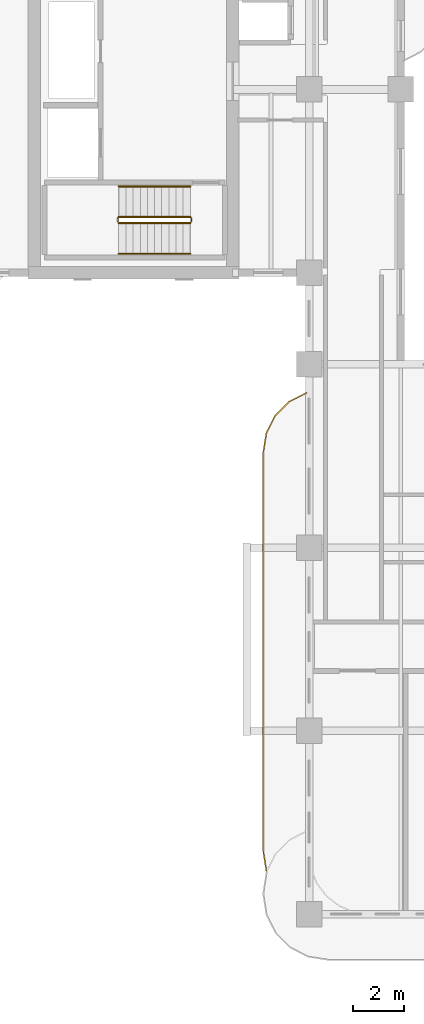
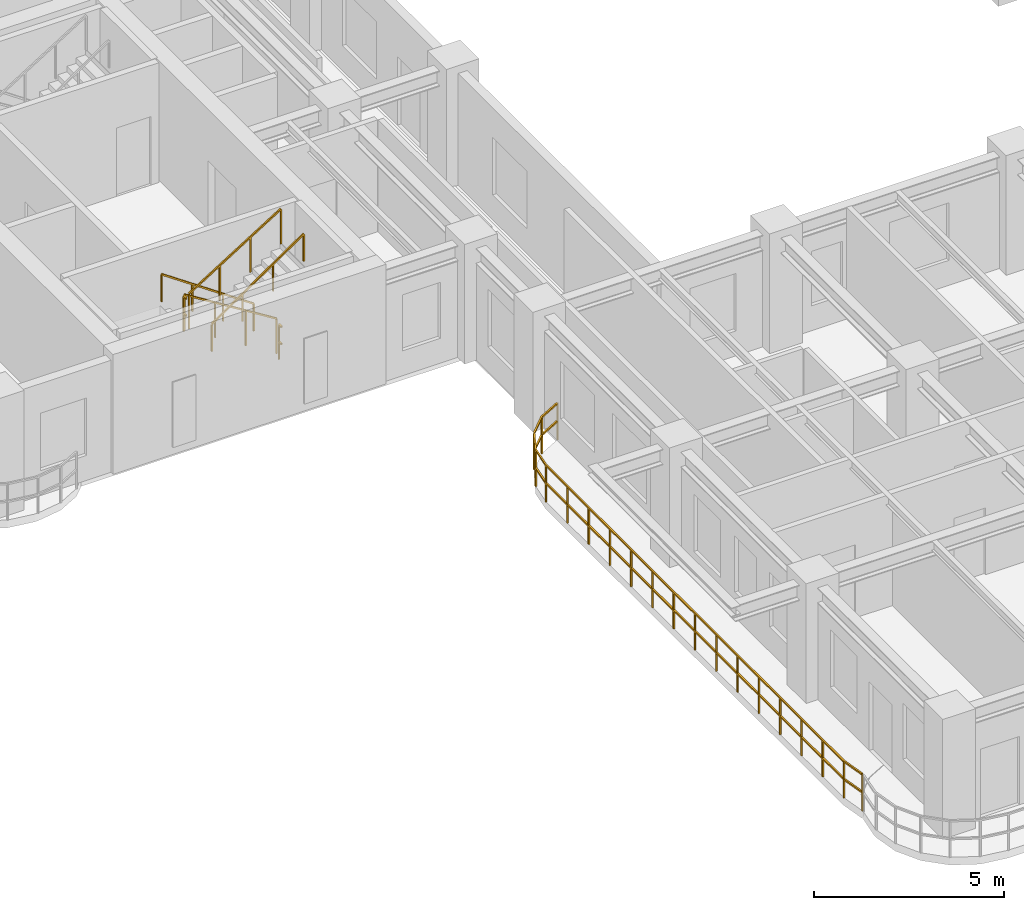
# One storey, part 10 of 14: 7 railings.
"""IFC4 building model written with IfcOpenShell, lengths in metres."""

from ifc_helpers import new_model, si_unit, derived_unit, direction, frame, origin, origin_2d, place, context, subcontext, project, spatial, rectangle, extrude, material, type_object, element, save


model = new_model("IFC4")

# Units and contexts
model_context = context("Model", 3, precision=1e-05, world=origin(), true_north=direction((0.0, 1.0)))
body_context = subcontext(model_context, "Body", "Model", "MODEL_VIEW")
ifc_project = project(units=[si_unit("LENGTHUNIT", "METRE"), si_unit("AREAUNIT", "SQUARE_METRE"), si_unit("VOLUMEUNIT", "CUBIC_METRE"), si_unit("PLANEANGLEUNIT", "RADIAN"), si_unit("MASSUNIT", "GRAM", prefix="KILO"), si_unit("THERMODYNAMICTEMPERATUREUNIT", "KELVIN"), si_unit("POWERUNIT", "WATT"), derived_unit("THERMALTRANSMITTANCEUNIT", [(si_unit("POWERUNIT", "WATT"), 1), (si_unit("AREAUNIT", "SQUARE_METRE"), -1), (si_unit("THERMODYNAMICTEMPERATUREUNIT", "KELVIN"), -1)])], contexts=[model_context])

# Site, building, storey
site_placement = place(None, origin())
site = spatial("IfcSite", under=ifc_project, at=site_placement, CompositionType="ELEMENT")
building_placement = place(site_placement, origin())
building = spatial("IfcBuilding", under=site, at=building_placement, Name="Zahravan Archway Hotel and Residences", CompositionType="ELEMENT")
storey_placement = place(building_placement, frame((0.0, 0.0, 188.800048828125)))
storey = spatial("IfcBuildingStorey", under=building, at=storey_placement, Name="L47", CompositionType="ELEMENT", Elevation=188.800048828125)

# Railings
ifc_material_1 = material(Name="Bronze & Laminated Glass Balustrade", Category="glass")
railing_type_1 = type_object("IfcRailingType", Name="RL-BAL-1200", PredefinedType="BALUSTRADE", material=ifc_material_1)
railing_1_placement = place(storey_placement, frame((12.719970703125, 1.69287109375, 0.0)))
element("IfcRailing", 1, at=railing_1_placement, inside=storey, type_object=railing_type_1, Name="L47 Balustrade RL-SLB-BAL-L47-WA-1", PredefinedType="BALUSTRADE", context=body_context, shape_type="SweptSolid", body=[
    extrude(rectangle(XDim=0.048095703125, YDim=0.048095703125, at=origin_2d()), frame((0.0, 0.0, 1.17578125), z_axis=(-0.156387811283, 0.987695728695, 0.0), x_axis=(-0.987695728695, -0.156387811283, 0.0)), (0.0, 0.0, 1.0), 0.7666015625),
    extrude(rectangle(XDim=0.048095703125, YDim=0.048095703125, at=origin_2d()), frame((0.0, 0.0, 0.60009765625), z_axis=(-0.156387811283, 0.987695728695, 0.0), x_axis=(-0.987695728695, -0.156387811283, 0.0)), (0.0, 0.0, 1.0), 0.7666015625),
    extrude(rectangle(XDim=0.048095703125, YDim=0.048095703125, at=origin_2d()), frame((-0.119873046875, 0.757080078125, 1.17578125), z_axis=(0.0, 1.0, 0.0), x_axis=(-1.0, 0.0, 0.0)), (0.0, 0.0, 1.0), 15.699951171875),
    extrude(rectangle(XDim=0.048095703125, YDim=0.048095703125, at=origin_2d()), frame((-0.119873046875, 0.757080078125, 0.60009765625), z_axis=(0.0, 1.0, 0.0), x_axis=(-1.0, 0.0, 0.0)), (0.0, 0.0, 1.0), 15.699951171875),
    extrude(rectangle(XDim=0.048095703125, YDim=0.048095703125, at=origin_2d()), frame((-0.119873046875, 16.45703125, 1.17578125), z_axis=(0.156387811283, 0.987695728695, 0.0), x_axis=(-0.987695728695, 0.156387811283, 0.0)), (0.0, 0.0, 1.0), 0.7666015625),
    extrude(rectangle(XDim=0.048095703125, YDim=0.048095703125, at=origin_2d()), frame((-0.119873046875, 16.45703125, 0.60009765625), z_axis=(0.156387811283, 0.987695728695, 0.0), x_axis=(-0.987695728695, 0.156387811283, 0.0)), (0.0, 0.0, 1.0), 0.7666015625),
    extrude(rectangle(XDim=0.048095703125, YDim=0.048095703125, at=origin_2d()), frame((0.0, 17.214111328125, 1.17578125), z_axis=(0.453825591531, 0.891090529897, 0.0), x_axis=(-0.891090529897, 0.453825591531, 0.0)), (0.0, 0.0, 1.0), 0.7666015625),
    extrude(rectangle(XDim=0.048095703125, YDim=0.048095703125, at=origin_2d()), frame((0.0, 17.214111328125, 0.60009765625), z_axis=(0.453825591531, 0.891090529897, 0.0), x_axis=(-0.891090529897, 0.453825591531, 0.0)), (0.0, 0.0, 1.0), 0.7666015625),
    extrude(rectangle(XDim=0.048095703125, YDim=0.048095703125, at=origin_2d()), frame((0.347900390625, 17.897216796875, 1.17578125), z_axis=(0.707106781187, 0.707106781187, 0.0), x_axis=(-0.707106781187, 0.707106781187, 0.0)), (0.0, 0.0, 1.0), 0.7666015625),
    extrude(rectangle(XDim=0.048095703125, YDim=0.048095703125, at=origin_2d()), frame((0.347900390625, 17.897216796875, 0.60009765625), z_axis=(0.707106781187, 0.707106781187, 0.0), x_axis=(-0.707106781187, 0.707106781187, 0.0)), (0.0, 0.0, 1.0), 0.7666015625),
    extrude(rectangle(XDim=0.048095703125, YDim=0.048095703125, at=origin_2d()), frame((0.889892578125, 18.439208984375, 1.17578125), z_axis=(0.891090529897, 0.453825591531, 0.0), x_axis=(-0.453825591531, 0.891090529897, 0.0)), (0.0, 0.0, 1.0), 0.7666015625),
    extrude(rectangle(XDim=0.048095703125, YDim=0.048095703125, at=origin_2d()), frame((0.889892578125, 18.439208984375, 0.60009765625), z_axis=(0.891090529897, 0.453825591531, 0.0), x_axis=(-0.453825591531, 0.891090529897, 0.0)), (0.0, 0.0, 1.0), 0.7666015625),
    extrude(rectangle(XDim=0.0419921875, YDim=0.0419921875, at=origin_2d()), origin(), (0.0, 0.0, 1.0), 1.15185546875),
    extrude(rectangle(XDim=0.0419921875, YDim=0.0419921875, at=origin_2d()), frame((-0.119873046875, 0.757080078125, 0.0)), (0.0, 0.0, 1.0), 1.15185546875),
    extrude(rectangle(XDim=0.0419921875, YDim=0.0419921875, at=origin_2d()), frame((-0.119873046875, 1.87841796875, 0.0)), (0.0, 0.0, 1.0), 1.15185546875),
    extrude(rectangle(XDim=0.0419921875, YDim=0.0419921875, at=origin_2d()), frame((-0.119873046875, 3.0, 0.0)), (0.0, 0.0, 1.0), 1.15185546875),
    extrude(rectangle(XDim=0.0419921875, YDim=0.0419921875, at=origin_2d()), frame((-0.119873046875, 4.121337890625, 0.0)), (0.0, 0.0, 1.0), 1.15185546875),
    extrude(rectangle(XDim=0.0419921875, YDim=0.0419921875, at=origin_2d()), frame((-0.119873046875, 5.24267578125, 0.0)), (0.0, 0.0, 1.0), 1.15185546875),
    extrude(rectangle(XDim=0.0419921875, YDim=0.0419921875, at=origin_2d()), frame((-0.119873046875, 6.3642578125, 0.0)), (0.0, 0.0, 1.0), 1.15185546875),
    extrude(rectangle(XDim=0.0419921875, YDim=0.0419921875, at=origin_2d()), frame((-0.119873046875, 7.485595703125, 0.0)), (0.0, 0.0, 1.0), 1.15185546875),
    extrude(rectangle(XDim=0.0419921875, YDim=0.0419921875, at=origin_2d()), frame((-0.119873046875, 8.60693359375, 0.0)), (0.0, 0.0, 1.0), 1.15185546875),
    extrude(rectangle(XDim=0.0419921875, YDim=0.0419921875, at=origin_2d()), frame((-0.119873046875, 9.728515625, 0.0)), (0.0, 0.0, 1.0), 1.15185546875),
    extrude(rectangle(XDim=0.0419921875, YDim=0.0419921875, at=origin_2d()), frame((-0.119873046875, 10.849853515625, 0.0)), (0.0, 0.0, 1.0), 1.15185546875),
    extrude(rectangle(XDim=0.0419921875, YDim=0.0419921875, at=origin_2d()), frame((-0.119873046875, 11.971435546875, 0.0)), (0.0, 0.0, 1.0), 1.15185546875),
    extrude(rectangle(XDim=0.0419921875, YDim=0.0419921875, at=origin_2d()), frame((-0.119873046875, 13.0927734375, 0.0)), (0.0, 0.0, 1.0), 1.15185546875),
    extrude(rectangle(XDim=0.0419921875, YDim=0.0419921875, at=origin_2d()), frame((-0.119873046875, 14.214111328125, 0.0)), (0.0, 0.0, 1.0), 1.15185546875),
    extrude(rectangle(XDim=0.0419921875, YDim=0.0419921875, at=origin_2d()), frame((-0.119873046875, 15.335693359375, 0.0)), (0.0, 0.0, 1.0), 1.15185546875),
    extrude(rectangle(XDim=0.0419921875, YDim=0.0419921875, at=origin_2d()), frame((-0.119873046875, 16.45703125, 0.0)), (0.0, 0.0, 1.0), 1.15185546875),
    extrude(rectangle(XDim=0.0419921875, YDim=0.0419921875, at=origin_2d()), frame((0.0, 17.214111328125, 0.0)), (0.0, 0.0, 1.0), 1.15185546875),
    extrude(rectangle(XDim=0.0419921875, YDim=0.0419921875, at=origin_2d()), frame((0.347900390625, 17.897216796875, 0.0)), (0.0, 0.0, 1.0), 1.15185546875),
    extrude(rectangle(XDim=0.0419921875, YDim=0.0419921875, at=origin_2d()), frame((0.889892578125, 18.439208984375, 0.0)), (0.0, 0.0, 1.0), 1.15185546875),
    extrude(rectangle(XDim=0.0419921875, YDim=0.0419921875, at=origin_2d()), frame((1.572998046875, 18.787109375, 0.0)), (0.0, 0.0, 1.0), 1.15185546875),
])
ifc_material_2 = material(Name="Painted Tubular Steel", Category="steel")
railing_type_2 = type_object("IfcRailingType", Name="RL-STG-1150", PredefinedType="GUARDRAIL", material=ifc_material_2)
railing_2_placement = place(storey_placement, frame((9.72998046875, 27.389892578125, 0.175048828125)))
element("IfcRailing", 2, at=railing_2_placement, inside=storey, type_object=railing_type_2, Name="L47 ST-B1 stair guard 1", PredefinedType="GUARDRAIL", context=body_context, shape_type="SweptSolid", body=[
    extrude(rectangle(XDim=0.048095703125, YDim=0.048095703125, at=origin_2d()), frame((0.0, 0.0, 1.1259765625), z_axis=(-0.848002457836, 0.0, 0.529992293815), x_axis=(0.0, -1.0, 0.0)), (0.0, 0.0, 1.0), 3.302001953125),
    extrude(rectangle(XDim=0.0419921875, YDim=0.0419921875, at=origin_2d()), origin(), (0.0, 0.0, 1.0), 1.101806640625),
    extrude(rectangle(XDim=0.0419921875, YDim=0.0419921875, at=origin_2d()), frame((-0.933349609375, 0.0, 0.583251953125)), (0.0, 0.0, 1.0), 1.101806640625),
    extrude(rectangle(XDim=0.0419921875, YDim=0.0419921875, at=origin_2d()), frame((-1.86669921875, 0.0, 1.166748046875)), (0.0, 0.0, 1.0), 1.101806640625),
    extrude(rectangle(XDim=0.0419921875, YDim=0.0419921875, at=origin_2d()), frame((-2.800048828125, 0.0, 1.75)), (0.0, 0.0, 1.0), 1.101806640625),
])
railing_3_placement = place(storey_placement, frame((6.8798828125, 27.340087890625, 1.925048828125)))
element("IfcRailing", 3, at=railing_3_placement, inside=storey, type_object=railing_type_2, Name="L47 ST-B1 stair guard 2", PredefinedType="GUARDRAIL", context=body_context, shape_type="SweptSolid", body=[
    extrude(rectangle(XDim=0.048095703125, YDim=0.048095703125, at=origin_2d()), frame((0.0, 0.0, 1.1259765625), z_axis=(0.0, -1.0, 0.0), x_axis=(1.0, 0.0, 0.0)), (0.0, 0.0, 1.0), 0.14013671875),
    extrude(rectangle(XDim=0.048095703125, YDim=0.048095703125, at=origin_2d()), frame((0.0, 0.0, 0.574951171875), z_axis=(0.0, -1.0, 0.0), x_axis=(1.0, 0.0, 0.0)), (0.0, 0.0, 1.0), 0.14013671875),
    extrude(rectangle(XDim=0.0419921875, YDim=0.0419921875, at=origin_2d()), origin(), (0.0, 0.0, 1.0), 1.101806640625),
])
railing_4_placement = place(storey_placement, frame((6.929931640625, 27.14990234375, 2.099853515625)))
element("IfcRailing", 4, at=railing_4_placement, inside=storey, type_object=railing_type_2, Name="L47 ST-B1 stair guard 3", PredefinedType="GUARDRAIL", context=body_context, shape_type="SweptSolid", body=[
    extrude(rectangle(XDim=0.048095703125, YDim=0.048095703125, at=origin_2d()), frame((0.0, 0.0, 1.1259765625), z_axis=(0.848002457836, 0.0, 0.529992293815), x_axis=(0.0, 1.0, 0.0)), (0.0, 0.0, 1.0), 3.302001953125),
    extrude(rectangle(XDim=0.0419921875, YDim=0.0419921875, at=origin_2d()), origin(), (0.0, 0.0, 1.0), 1.101806640625),
    extrude(rectangle(XDim=0.0419921875, YDim=0.0419921875, at=origin_2d()), frame((0.933349609375, 0.0, 0.583251953125)), (0.0, 0.0, 1.0), 1.101806640625),
    extrude(rectangle(XDim=0.0419921875, YDim=0.0419921875, at=origin_2d()), frame((1.86669921875, 0.0, 1.166748046875)), (0.0, 0.0, 1.0), 1.101806640625),
    extrude(rectangle(XDim=0.0419921875, YDim=0.0419921875, at=origin_2d()), frame((2.800048828125, 0.0, 1.75)), (0.0, 0.0, 1.0), 1.101806640625),
])
railing_5_placement = place(storey_placement, frame((9.780029296875, 27.340087890625, 0.0)))
element("IfcRailing", 5, at=railing_5_placement, inside=storey, type_object=railing_type_2, Name="L47 ST-B1 stair guard 4", PredefinedType="GUARDRAIL", context=body_context, shape_type="SweptSolid", body=[
    extrude(rectangle(XDim=0.048095703125, YDim=0.048095703125, at=origin_2d()), frame((0.0, 0.0, 1.1259765625), z_axis=(0.0, -1.0, 0.0), x_axis=(1.0, 0.0, 0.0)), (0.0, 0.0, 1.0), 0.14013671875),
    extrude(rectangle(XDim=0.048095703125, YDim=0.048095703125, at=origin_2d()), frame((0.0, 0.0, 0.574951171875), z_axis=(0.0, -1.0, 0.0), x_axis=(1.0, 0.0, 0.0)), (0.0, 0.0, 1.0), 0.14013671875),
    extrude(rectangle(XDim=0.0419921875, YDim=0.0419921875, at=origin_2d()), origin(), (0.0, 0.0, 1.0), 1.101806640625),
])
ifc_material_3 = material(Name="Brushed Stainless Steel", Category="steel")
railing_type_3 = type_object("IfcRailingType", Name="RL-STH-900", PredefinedType="HANDRAIL", material=ifc_material_3)
railing_6_placement = place(storey_placement, frame((9.72998046875, 28.590087890625, 0.175048828125)))
element("IfcRailing", 6, at=railing_6_placement, inside=storey, type_object=railing_type_3, Name="L47 ST-B1 stair handrail 1", PredefinedType="HANDRAIL", context=body_context, shape_type="SweptSolid", body=[
    extrude(rectangle(XDim=0.048095703125, YDim=0.048095703125, at=origin_2d()), frame((0.0, 0.0, 0.8759765625), z_axis=(-0.824073370198, 0.0, 0.566483080534), x_axis=(0.0, -1.0, 0.0)), (0.0, 0.0, 1.0), 3.397705078125),
    extrude(rectangle(XDim=0.0419921875, YDim=0.0419921875, at=origin_2d()), origin(), (0.0, 0.0, 1.0), 0.851806640625),
    extrude(rectangle(XDim=0.0419921875, YDim=0.0419921875, at=origin_2d()), frame((-0.933349609375, 0.0, 0.6416015625)), (0.0, 0.0, 1.0), 0.851806640625),
    extrude(rectangle(XDim=0.0419921875, YDim=0.0419921875, at=origin_2d()), frame((-1.86669921875, 0.0, 1.283203125)), (0.0, 0.0, 1.0), 0.851806640625),
    extrude(rectangle(XDim=0.0419921875, YDim=0.0419921875, at=origin_2d()), frame((-2.800048828125, 0.0, 1.9248046875)), (0.0, 0.0, 1.0), 0.851806640625),
])
railing_7_placement = place(storey_placement, frame((6.929931640625, 25.949951171875, 2.099853515625)))
element("IfcRailing", 7, at=railing_7_placement, inside=storey, type_object=railing_type_3, Name="L47 ST-B1 stair handrail 2", PredefinedType="HANDRAIL", context=body_context, shape_type="SweptSolid", body=[
    extrude(rectangle(XDim=0.048095703125, YDim=0.048095703125, at=origin_2d()), frame((0.0, 0.0, 0.8759765625), z_axis=(0.824039827795, 0.0, 0.566531872191), x_axis=(0.0, 1.0, 0.0)), (0.0, 0.0, 1.0), 3.39794921875),
    extrude(rectangle(XDim=0.0419921875, YDim=0.0419921875, at=origin_2d()), origin(), (0.0, 0.0, 1.0), 0.851806640625),
    extrude(rectangle(XDim=0.0419921875, YDim=0.0419921875, at=origin_2d()), frame((0.933349609375, 0.0, 0.6416015625)), (0.0, 0.0, 1.0), 0.851806640625),
    extrude(rectangle(XDim=0.0419921875, YDim=0.0419921875, at=origin_2d()), frame((1.86669921875, 0.0, 1.283447265625)), (0.0, 0.0, 1.0), 0.851806640625),
    extrude(rectangle(XDim=0.0419921875, YDim=0.0419921875, at=origin_2d()), frame((2.800048828125, 0.0, 1.925048828125)), (0.0, 0.0, 1.0), 0.851806640625),
])

save(model, "model.ifc")
